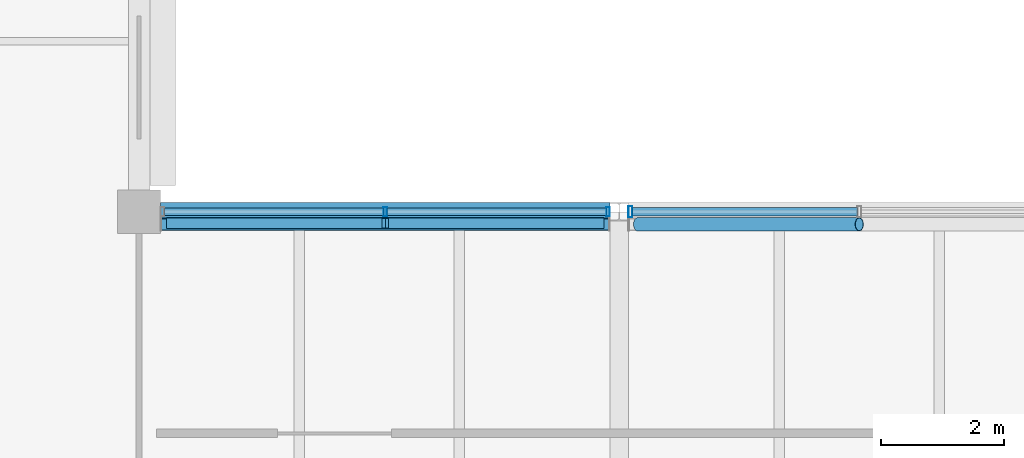
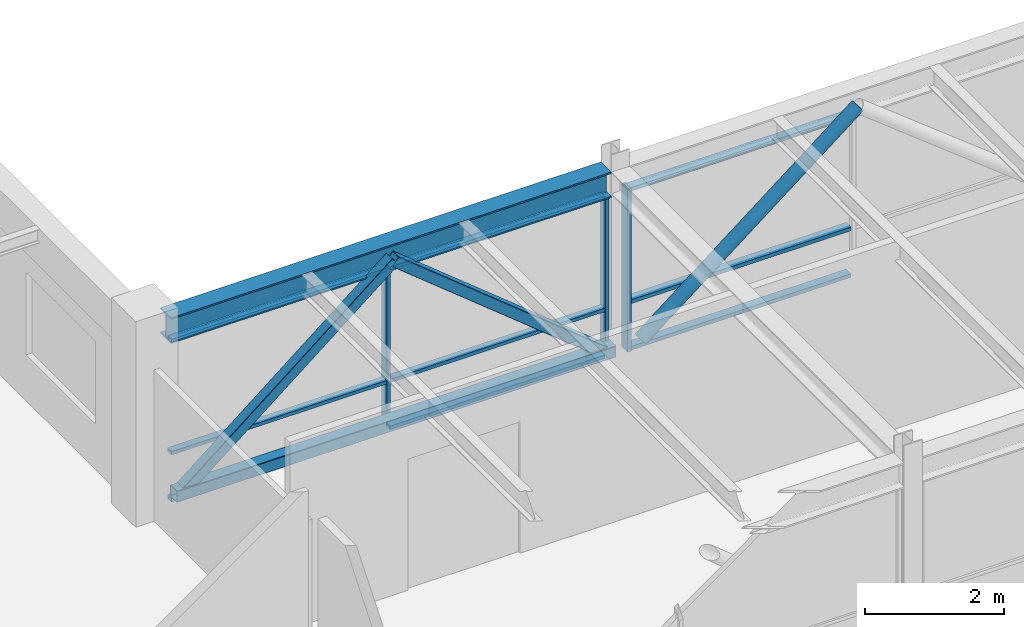
# One storey, part 14 of 49: 16 members, 1 beam, 2 elements without a shape of their own.
"""IFC4 building model written with IfcOpenShell, lengths in metres."""

import ifcopenshell
import ifcopenshell.guid

model = None  # the IFC model being written
_history = None  # IfcOwnerHistory: only IFC2X3 demands one
_inside = {}  # id of a spatial element -> (the spatial element, [elements in it])
_under = {}  # id of a project, library or spatial element -> (it, [spatial elements below it])
_declared = {}  # id of a project -> (the project, [libraries it declares])
_typed = {}  # id of a type object -> (the type object, [elements of that type])
_made_of = {}  # id of a material, layer set ... -> (it, [elements and type objects made of it])


def new_model(schema):
    """Start an empty IFC model of exactly this schema.

    Asked for "IFC4X3", IfcOpenShell would pick the latest addendum, in which some entities
    have other attributes; the version numbers below select the first issue.
    IFC2X3 requires an IfcOwnerHistory on every rooted entity: one is made here for all.
    """
    global model, _history
    if schema == "IFC4X3":
        model = ifcopenshell.file(schema_version=(4, 3, 0, 0))
    else:
        model = ifcopenshell.file(schema=schema)
    _inside.clear()
    _under.clear()
    _declared.clear()
    _typed.clear()
    _made_of.clear()
    _history = None
    if model.schema == "IFC2X3":
        org = make("IfcOrganization", Name="unknown")
        user = make(
            "IfcPersonAndOrganization",
            ThePerson=make("IfcPerson", FamilyName="unknown"),
            TheOrganization=org,
        )
        app = make(
            "IfcApplication",
            ApplicationDeveloper=org,
            Version="unknown",
            ApplicationFullName="unknown",
            ApplicationIdentifier="unknown",
        )
        _history = make(
            "IfcOwnerHistory",
            OwningUser=user,
            OwningApplication=app,
            ChangeAction="ADDED",
            CreationDate=0,
        )
    return model


def make(cls, **values):
    """One entity of the class cls with the attributes given. An attribute that is None is left unset."""
    return model.create_entity(
        cls, **{name: value for name, value in values.items() if value is not None}
    )


def rooted(cls, **values):
    """An entity with a GlobalId (a new one), such as an element, a storey or a relation."""
    return make(cls, GlobalId=ifcopenshell.guid.new(), OwnerHistory=_history, **values)


def si_unit(unit_type, name, prefix=None):
    """IfcSIUnit, for example si_unit("LENGTHUNIT", "METRE", prefix="MILLI")."""
    return make("IfcSIUnit", UnitType=unit_type, Prefix=prefix, Name=name)


def assignment(units):
    """IfcUnitAssignment: the units of a project."""
    return None if units is None else make("IfcUnitAssignment", Units=units)


def point(xyz):
    """IfcCartesianPoint."""
    return None if xyz is None else make("IfcCartesianPoint", Coordinates=xyz)


def direction(xyz):
    """IfcDirection."""
    return None if xyz is None else make("IfcDirection", DirectionRatios=xyz)


def frame(location, z_axis=None, x_axis=None):
    """IfcAxis2Placement3D, a coordinate frame: its origin and axes. An axis left out is left unset."""
    return make(
        "IfcAxis2Placement3D",
        Location=point(location),
        Axis=direction(z_axis),
        RefDirection=direction(x_axis),
    )


def frame_2d(location, x_axis=None):
    """IfcAxis2Placement2D, a coordinate frame in the plane: its origin and x axis."""
    return make(
        "IfcAxis2Placement2D", Location=point(location), RefDirection=direction(x_axis)
    )


def origin():
    """The frame at (0, 0, 0) with its axes left unset."""
    return frame((0.0, 0.0, 0.0))


def origin_2d():
    """The frame at (0, 0) in the plane with its x axis left unset."""
    return frame_2d((0.0, 0.0))


def place(relative_to, where):
    """IfcLocalPlacement: puts the frame where relative to a parent placement (None: the world)."""
    return make(
        "IfcLocalPlacement", PlacementRelTo=relative_to, RelativePlacement=where
    )


def context(
    kind, dimensions, precision=None, world=None, true_north=None, identifier=None
):
    """IfcGeometricRepresentationContext, for example the 3D "Model" context."""
    return make(
        "IfcGeometricRepresentationContext",
        ContextIdentifier=identifier,
        ContextType=kind,
        CoordinateSpaceDimension=dimensions,
        Precision=precision,
        WorldCoordinateSystem=world,
        TrueNorth=true_north,
    )


def subcontext(parent, identifier, kind, view, scale=None):
    """IfcGeometricRepresentationSubContext, for example "Body" below "Model"."""
    return make(
        "IfcGeometricRepresentationSubContext",
        ContextIdentifier=identifier,
        ContextType=kind,
        ParentContext=parent,
        TargetScale=scale,
        TargetView=view,
    )


def project(units=None, contexts=None):
    """IfcProject with its units and contexts."""
    return rooted(
        "IfcProject",
        Name="project",
        RepresentationContexts=contexts,
        UnitsInContext=assignment(units),
    )


def spatial(cls, under=None, at=None, **own):
    """A site, building, storey or space (cls), placed at a placement, below another one or the project."""
    s = rooted(cls, ObjectPlacement=at, **own)
    if under is not None:
        _under.setdefault(under.id(), (under, []))[1].append(s)
    return s


def profile(cls, at=None, kind="AREA", **sizes):
    """A parametric profile (cls). Its sizes go by their IFC names, for example OverallWidth=200.0."""
    return make(cls, ProfileType=kind, Position=at, **sizes)


def hollow_rectangle(**sizes):
    """IfcRectangleHollowProfileDef."""
    return profile("IfcRectangleHollowProfileDef", **sizes)


def hollow_circle(**sizes):
    """IfcCircleHollowProfileDef."""
    return profile("IfcCircleHollowProfileDef", **sizes)


def i_section(**sizes):
    """IfcIShapeProfileDef."""
    return profile("IfcIShapeProfileDef", **sizes)


def extrude(swept, where, along, depth):
    """IfcExtrudedAreaSolid: the profile swept, set in the frame where, extruded along a direction by depth."""
    return make(
        "IfcExtrudedAreaSolid",
        SweptArea=swept,
        Position=where,
        ExtrudedDirection=direction(along),
        Depth=depth,
    )


def shape(context_of_items, identifier, shape_type, items):
    """IfcShapeRepresentation: the items that make up one representation, for example the "Body"."""
    return make(
        "IfcShapeRepresentation",
        ContextOfItems=context_of_items,
        RepresentationIdentifier=identifier,
        RepresentationType=shape_type,
        Items=items,
    )


def material(Name=None, Category=None):
    """IfcMaterial."""
    return make("IfcMaterial", Name=Name, Category=Category)


def material_profile(
    of_material, cross_section, Name=None, Category=None, Priority=None
):
    """IfcMaterialProfile: a cross section and its material."""
    return make(
        "IfcMaterialProfile",
        Name=Name,
        Material=of_material,
        Profile=cross_section,
        Priority=Priority,
        Category=Category,
    )


def profile_set(profiles, Name=None, composite=None):
    """IfcMaterialProfileSet."""
    return make(
        "IfcMaterialProfileSet",
        Name=Name,
        MaterialProfiles=profiles,
        CompositeProfile=composite,
    )


def made_of(thing, what):
    """Note that an element or type object is made of a material, layer set ...; save() writes the relation."""
    if what is not None:
        _made_of.setdefault(what.id(), (what, []))[1].append(thing)
    return thing


def type_object(cls, material=None, **own):
    """A type object (cls), such as IfcWallType, which elements share."""
    return made_of(rooted(cls, **own), material)


def element(
    cls,
    number,
    at=None,
    inside=None,
    cuts=None,
    type_object=None,
    material=None,
    context=None,
    identifier="Body",
    shape_type=None,
    held_by="IfcProductDefinitionShape",
    body=None,
    shapes=None,
    **own,
):
    """One element of the class cls, such as IfcWall. Its Tag is "e" and its number.

    at: its placement. inside: the storey or other place that contains it. cuts: it is an
    opening in that element (IfcRelVoidsElement). A single representation is given by context,
    identifier, shape_type and body (its items); several are given by shapes. held_by: the class
    of the entity that holds the representations. save() writes the other relations.
    """
    e = rooted(cls, Tag="e%d" % number, ObjectPlacement=at, **own)
    if body is not None:
        shapes = [shape(context, identifier, shape_type, body)]
    if shapes is not None:
        e.Representation = make(held_by, Representations=shapes)
    if inside is not None:
        _inside.setdefault(inside.id(), (inside, []))[1].append(e)
    if cuts is not None:
        rooted(
            "IfcRelVoidsElement", RelatingBuildingElement=cuts, RelatedOpeningElement=e
        )
    if type_object is not None:
        _typed.setdefault(type_object.id(), (type_object, []))[1].append(e)
    return made_of(e, material)


def aggregate(whole, parts):
    """IfcRelAggregates: a whole, such as a stair, and the parts it consists of."""
    return rooted("IfcRelAggregates", RelatingObject=whole, RelatedObjects=parts)


def save(model, path):
    """Write the relations noted so far, then the file.

    IfcRelAggregates (storeys below a building ...), IfcRelContainedInSpatialStructure (elements
    in a storey), IfcRelDefinesByType, IfcRelAssociatesMaterial and IfcRelDeclares: one each for
    every whole, place, type object, material and project.
    """
    for whole, parts in _under.values():
        aggregate(whole, parts)
    for where, things in _inside.values():
        rooted(
            "IfcRelContainedInSpatialStructure",
            RelatedElements=things,
            RelatingStructure=where,
        )
    for kind, things in _typed.values():
        rooted("IfcRelDefinesByType", RelatedObjects=things, RelatingType=kind)
    for what, things in _made_of.values():
        rooted("IfcRelAssociatesMaterial", RelatedObjects=things, RelatingMaterial=what)
    for by, libraries in _declared.values():
        rooted("IfcRelDeclares", RelatingContext=by, RelatedDefinitions=libraries)
    model.write(path)


model = new_model("IFC4")

# Units and contexts
model_context = context("Model", 3, precision=1e-05, world=origin(), true_north=direction((0.0, 1.0)))
body_context = subcontext(model_context, "Body", "Model", "MODEL_VIEW")
ifc_project = project(units=[si_unit("LENGTHUNIT", "METRE"), si_unit("AREAUNIT", "SQUARE_METRE"), si_unit("VOLUMEUNIT", "CUBIC_METRE"), si_unit("PLANEANGLEUNIT", "RADIAN"), si_unit("MASSUNIT", "GRAM", prefix="KILO"), si_unit("THERMODYNAMICTEMPERATUREUNIT", "KELVIN"), si_unit("POWERUNIT", "WATT")], contexts=[model_context])

# Site, building, storey
site_placement = place(None, origin())
site = spatial("IfcSite", under=ifc_project, at=site_placement, CompositionType="ELEMENT")
building_placement = place(site_placement, origin())
building = spatial("IfcBuilding", under=site, at=building_placement, Name="Srebrne Nadtorze General Hospital", CompositionType="ELEMENT")
storey_placement = place(building_placement, frame((0.0, 0.0, 26.10009765625)))
storey = spatial("IfcBuildingStorey", under=building, at=storey_placement, Name="L06", CompositionType="ELEMENT", Elevation=26.10009765625)

# Beam
ifc_material_1 = material(Name="Steel S355J2", Category="steel")
ifc_material_profile_1 = material_profile(ifc_material_1, i_section(OverallWidth=0.300048828125, OverallDepth=0.449951171875, WebThickness=0.013916015625, FlangeThickness=0.02587890625, FilletRadius=0.027099609375, at=origin_2d()), Name="HEB-450")
ifc_profile_set_1 = profile_set([ifc_material_profile_1], Name="Steel S355J2")
beam_type = type_object("IfcBeamType", Name="Courtyard bridge girder HEB 450", PredefinedType="BEAM", material=ifc_profile_set_1)
beam_placement = place(storey_placement, frame((54.949951171875, 58.800048828125, 3.074951171875), z_axis=(1.0, 0.0, 0.0), x_axis=(0.0, 1.0, 0.0)))
element("IfcBeam", 1, at=beam_placement, inside=storey, type_object=beam_type, Name="Beam BM-L06-X-1166", PredefinedType="BEAM", context=body_context, shape_type="SweptSolid", body=[
    extrude(i_section(OverallWidth=0.300048828125, OverallDepth=0.449951171875, WebThickness=0.013916015625, FlangeThickness=0.02587890625, FilletRadius=0.027099609375, at=origin_2d()), origin(), (0.0, 0.0, 1.0), 7.300048828125),
])

# Curtain wall, members
ifc_material_2 = material(Name="Anodised Aluminium", Category="aluminium")
curtain_wall_type_1 = type_object("IfcCurtainWallType", Name="Bridge curtain wall 7300x2850", PredefinedType="NOTDEFINED", material=ifc_material_2)
curtain_wall_1_placement = place(storey_placement, origin())
curtain_wall_1 = element("IfcCurtainWall", 2, at=curtain_wall_1_placement, inside=storey, type_object=curtain_wall_type_1, Name="Curtain wall CW-144", PredefinedType="NOTDEFINED")
ifc_material_3 = material(Name="Anodised Aluminium", Category="aluminium")
ifc_material_profile_2 = material_profile(ifc_material_3, hollow_rectangle(XDim=0.06005859375, YDim=0.14990234375, WallThickness=0.00390625, at=origin_2d()), Name="AL-MUL-60x150")
ifc_profile_set_2 = profile_set([ifc_material_profile_2], Name="Anodised Aluminium")
member_type_1 = type_object("IfcMemberType", Name="Curtain mullion 60x150", PredefinedType="MULLION", material=ifc_profile_set_2)
member_1_placement = place(storey_placement, frame((58.60009765625, 58.800048828125, 0.0), z_axis=(0.0, 0.0, 1.0), x_axis=(1.0, 0.0, 0.0)))
member_1 = element("IfcMember", 3, at=member_1_placement, type_object=member_type_1, Name="CW-144 mullion 2", PredefinedType="MULLION", context=body_context, shape_type="SweptSolid", body=[
    extrude(hollow_rectangle(XDim=0.06005859375, YDim=0.14990234375, WallThickness=0.00390625, at=origin_2d()), origin(), (0.0, 0.0, 1.0), 2.849853515625),
])
member_2_placement = place(storey_placement, frame((62.219970703125, 58.800048828125, 0.0), z_axis=(0.0, 0.0, 1.0), x_axis=(1.0, 0.0, 0.0)))
member_2 = element("IfcMember", 4, at=member_2_placement, type_object=member_type_1, Name="CW-144 mullion 3", PredefinedType="MULLION", context=body_context, shape_type="SweptSolid", body=[
    extrude(hollow_rectangle(XDim=0.06005859375, YDim=0.14990234375, WallThickness=0.00390625, at=origin_2d()), origin(), (0.0, 0.0, 1.0), 2.849853515625),
])

# Curtain wall, member
ifc_material_4 = material(Name="Anodised Aluminium", Category="aluminium")
curtain_wall_type_2 = type_object("IfcCurtainWallType", Name="Bridge curtain wall 7500x2850", PredefinedType="NOTDEFINED", material=ifc_material_4)
curtain_wall_2_placement = place(storey_placement, origin())
curtain_wall_2 = element("IfcCurtainWall", 5, at=curtain_wall_2_placement, inside=storey, type_object=curtain_wall_type_2, Name="Curtain wall CW-145", PredefinedType="NOTDEFINED")
ifc_material_5 = material(Name="Anodised Aluminium", Category="aluminium")
ifc_material_profile_3 = material_profile(ifc_material_5, hollow_rectangle(XDim=0.06494140625, YDim=0.179931640625, WallThickness=0.00390625, at=origin_2d()), Name="AL-MUL-65x180")
ifc_profile_set_3 = profile_set([ifc_material_profile_3], Name="Anodised Aluminium")
member_type_2 = type_object("IfcMemberType", Name="Curtain mullion 65x180", PredefinedType="MULLION", material=ifc_profile_set_3)
member_3_placement = place(storey_placement, frame((62.58251953125, 58.800048828125, 0.0), z_axis=(0.0, 0.0, 1.0), x_axis=(1.0, 0.0, 0.0)))
member_3 = element("IfcMember", 6, at=member_3_placement, type_object=member_type_2, Name="CW-145 mullion 1", PredefinedType="MULLION", context=body_context, shape_type="SweptSolid", body=[
    extrude(hollow_rectangle(XDim=0.06494140625, YDim=0.179931640625, WallThickness=0.00390625, at=origin_2d()), origin(), (0.0, 0.0, 1.0), 2.849853515625),
])

# Member
ifc_material_6 = material(Name="Anodised Aluminium", Category="aluminium")
ifc_material_profile_4 = material_profile(ifc_material_6, hollow_rectangle(XDim=0.06005859375, YDim=0.1201171875, WallThickness=0.00390625, at=origin_2d()), Name="AL-TRN-60x120")
ifc_profile_set_4 = profile_set([ifc_material_profile_4], Name="Anodised Aluminium")
member_type_3 = type_object("IfcMemberType", Name="Curtain transom 60x120", PredefinedType="USERDEFINED", material=ifc_profile_set_4)
member_4_placement = place(storey_placement, frame((55.010009765625, 58.800048828125, 0.02978515625), z_axis=(1.0, 0.0, 0.0), x_axis=(0.0, 0.0, 1.0)))
member_4 = element("IfcMember", 7, at=member_4_placement, type_object=member_type_3, Name="CW-144 transom 1.1", ObjectType="TRANSOM", PredefinedType="USERDEFINED", context=body_context, shape_type="SweptSolid", body=[
    extrude(hollow_rectangle(XDim=0.06005859375, YDim=0.1201171875, WallThickness=0.00390625, at=origin_2d()), origin(), (0.0, 0.0, 1.0), 3.56005859375),
])

member_5_placement = place(storey_placement, frame((55.010009765625, 58.800048828125, 0.849853515625), z_axis=(1.0, 0.0, 0.0), x_axis=(0.0, 0.0, 1.0)))
member_5 = element("IfcMember", 8, at=member_5_placement, type_object=member_type_3, Name="CW-144 transom 1.2", ObjectType="TRANSOM", PredefinedType="USERDEFINED", context=body_context, shape_type="SweptSolid", body=[
    extrude(hollow_rectangle(XDim=0.06005859375, YDim=0.1201171875, WallThickness=0.00390625, at=origin_2d()), origin(), (0.0, 0.0, 1.0), 3.56005859375),
])

member_6_placement = place(storey_placement, frame((55.010009765625, 58.800048828125, 2.81982421875), z_axis=(1.0, 0.0, 0.0), x_axis=(0.0, 0.0, 1.0)))
member_6 = element("IfcMember", 9, at=member_6_placement, type_object=member_type_3, Name="CW-144 transom 1.3", ObjectType="TRANSOM", PredefinedType="USERDEFINED", context=body_context, shape_type="SweptSolid", body=[
    extrude(hollow_rectangle(XDim=0.06005859375, YDim=0.1201171875, WallThickness=0.00390625, at=origin_2d()), origin(), (0.0, 0.0, 1.0), 3.56005859375),
])

member_7_placement = place(storey_placement, frame((58.6298828125, 58.800048828125, 0.02978515625), z_axis=(1.0, 0.0, 0.0), x_axis=(0.0, 0.0, 1.0)))
member_7 = element("IfcMember", 10, at=member_7_placement, type_object=member_type_3, Name="CW-144 transom 2.1", ObjectType="TRANSOM", PredefinedType="USERDEFINED", context=body_context, shape_type="SweptSolid", body=[
    extrude(hollow_rectangle(XDim=0.06005859375, YDim=0.1201171875, WallThickness=0.00390625, at=origin_2d()), origin(), (0.0, 0.0, 1.0), 3.56005859375),
])

member_8_placement = place(storey_placement, frame((58.6298828125, 58.800048828125, 0.849853515625), z_axis=(1.0, 0.0, 0.0), x_axis=(0.0, 0.0, 1.0)))
member_8 = element("IfcMember", 11, at=member_8_placement, type_object=member_type_3, Name="CW-144 transom 2.2", ObjectType="TRANSOM", PredefinedType="USERDEFINED", context=body_context, shape_type="SweptSolid", body=[
    extrude(hollow_rectangle(XDim=0.06005859375, YDim=0.1201171875, WallThickness=0.00390625, at=origin_2d()), origin(), (0.0, 0.0, 1.0), 3.56005859375),
])

member_9_placement = place(storey_placement, frame((58.6298828125, 58.800048828125, 2.81982421875), z_axis=(1.0, 0.0, 0.0), x_axis=(0.0, 0.0, 1.0)))
member_9 = element("IfcMember", 12, at=member_9_placement, type_object=member_type_3, Name="CW-144 transom 2.3", ObjectType="TRANSOM", PredefinedType="USERDEFINED", context=body_context, shape_type="SweptSolid", body=[
    extrude(hollow_rectangle(XDim=0.06005859375, YDim=0.1201171875, WallThickness=0.00390625, at=origin_2d()), origin(), (0.0, 0.0, 1.0), 3.56005859375),
])

aggregate(curtain_wall_1, [member_1, member_2, member_4, member_5, member_6, member_7, member_8, member_9])

ifc_material_7 = material(Name="Anodised Aluminium", Category="aluminium")
ifc_material_profile_5 = material_profile(ifc_material_7, hollow_rectangle(XDim=0.06494140625, YDim=0.139892578125, WallThickness=0.00390625, at=origin_2d()), Name="AL-TRN-65x140")
ifc_profile_set_5 = profile_set([ifc_material_profile_5], Name="Anodised Aluminium")
member_type_4 = type_object("IfcMemberType", Name="Curtain transom 65x140", PredefinedType="USERDEFINED", material=ifc_profile_set_5)
member_10_placement = place(storey_placement, frame((62.614990234375, 58.800048828125, 0.032470703125), z_axis=(1.0, 0.0, 0.0), x_axis=(0.0, 0.0, 1.0)))
member_10 = element("IfcMember", 13, at=member_10_placement, type_object=member_type_4, Name="CW-145 transom 1.1", ObjectType="TRANSOM", PredefinedType="USERDEFINED", context=body_context, shape_type="SweptSolid", body=[
    extrude(hollow_rectangle(XDim=0.06494140625, YDim=0.139892578125, WallThickness=0.00390625, at=origin_2d()), origin(), (0.0, 0.0, 1.0), 3.652587890625),
])

member_11_placement = place(storey_placement, frame((62.614990234375, 58.800048828125, 0.849853515625), z_axis=(1.0, 0.0, 0.0), x_axis=(0.0, 0.0, 1.0)))
member_11 = element("IfcMember", 14, at=member_11_placement, type_object=member_type_4, Name="CW-145 transom 1.2", ObjectType="TRANSOM", PredefinedType="USERDEFINED", context=body_context, shape_type="SweptSolid", body=[
    extrude(hollow_rectangle(XDim=0.06494140625, YDim=0.139892578125, WallThickness=0.00390625, at=origin_2d()), origin(), (0.0, 0.0, 1.0), 3.652587890625),
])

member_12_placement = place(storey_placement, frame((62.614990234375, 58.800048828125, 2.8173828125), z_axis=(1.0, 0.0, 0.0), x_axis=(0.0, 0.0, 1.0)))
member_12 = element("IfcMember", 15, at=member_12_placement, type_object=member_type_4, Name="CW-145 transom 1.3", ObjectType="TRANSOM", PredefinedType="USERDEFINED", context=body_context, shape_type="SweptSolid", body=[
    extrude(hollow_rectangle(XDim=0.06494140625, YDim=0.139892578125, WallThickness=0.00390625, at=origin_2d()), origin(), (0.0, 0.0, 1.0), 3.652587890625),
])

aggregate(curtain_wall_2, [member_3, member_10, member_11, member_12])

# Members
ifc_material_8 = material(Name="Steel S355J2", Category="steel")
ifc_material_profile_6 = material_profile(ifc_material_8, hollow_circle(Radius=0.109619140625, WallThickness=0.008056640625, at=origin_2d()), Name="CHS-219.1x8")
ifc_profile_set_6 = profile_set([ifc_material_profile_6], Name="Steel S355J2")
member_type_5 = type_object("IfcMemberType", Name="Diagonal brace CHS 219.1x8", PredefinedType="BRACE", material=ifc_profile_set_6)
member_13_placement = place(storey_placement, frame((62.699951171875, 58.595458984375, 0.25), z_axis=(0.786192517778, 0.0, 0.61798165425), x_axis=(0.0, 1.0, 0.0)))
element("IfcMember", 16, at=member_13_placement, inside=storey, type_object=member_type_5, Name="Clinical courtyard bridge brace 39", PredefinedType="BRACE", context=body_context, shape_type="SweptSolid", body=[
    extrude(hollow_circle(Radius=0.109619140625, WallThickness=0.008056640625, at=origin_2d()), origin(), (0.0, 0.0, 1.0), 4.5791015625),
])
ifc_material_9 = material(Name="Steel S355J2", Category="steel")
ifc_material_profile_7 = material_profile(ifc_material_9, hollow_rectangle(XDim=0.179931640625, YDim=0.179931640625, WallThickness=0.008056640625, InnerFilletRadius=0.008056640625, OuterFilletRadius=0.011962890625, at=origin_2d()), Name="SHS-180x180x8")
ifc_profile_set_7 = profile_set([ifc_material_profile_7], Name="Steel S355J2")
member_type_6 = type_object("IfcMemberType", Name="Diagonal brace SHS 180x180x8", PredefinedType="BRACE", material=ifc_profile_set_7)
for number, where, z_axis, x_axis, name in (
    (17, (55.10009765625, 58.614990234375, 0.25), (0.777624948613, 0.0, 0.628728430481), (0.0, 1.0, 0.0), "Clinical courtyard bridge brace 37"),
    (18, (62.10009765625, 58.614990234375, 0.25), (-0.777624948613, 0.0, 0.628728430481), (0.0, -1.0, 0.0), "Clinical courtyard bridge brace 38"),
):
    element("IfcMember", number, at=place(storey_placement, frame(where, z_axis=z_axis, x_axis=x_axis)), inside=storey, type_object=member_type_6, Name=name, PredefinedType="BRACE", context=body_context, shape_type="SweptSolid", body=[
        extrude(hollow_rectangle(XDim=0.179931640625, YDim=0.179931640625, WallThickness=0.008056640625, InnerFilletRadius=0.008056640625, OuterFilletRadius=0.011962890625, at=origin_2d()), origin(), (0.0, 0.0, 1.0), 4.5009765625),
    ])
ifc_material_10 = material(Name="Steel S355J2", Category="steel")
ifc_material_profile_8 = material_profile(ifc_material_10, hollow_rectangle(XDim=0.199951171875, YDim=0.199951171875, WallThickness=0.010009765625, InnerFilletRadius=0.010009765625, OuterFilletRadius=0.014892578125, at=origin_2d()), Name="SHS-200x200x10")
ifc_profile_set_8 = profile_set([ifc_material_profile_8], Name="Steel S355J2")
member_type_7 = type_object("IfcMemberType", Name="Truss chord SHS 200x200x10", PredefinedType="CHORD", material=ifc_profile_set_8)
member_14_placement = place(storey_placement, frame((54.9619140625, 58.594970703125, 0.25), z_axis=(1.0, 0.0, 0.0), x_axis=(0.0, 1.0, 0.0)))
element("IfcMember", 19, at=member_14_placement, inside=storey, type_object=member_type_7, Name="Clinical courtyard bridge truss chord 19", PredefinedType="CHORD", context=body_context, shape_type="SweptSolid", body=[
    extrude(hollow_rectangle(XDim=0.199951171875, YDim=0.199951171875, WallThickness=0.010009765625, InnerFilletRadius=0.010009765625, OuterFilletRadius=0.014892578125, at=origin_2d()), origin(), (0.0, 0.0, 1.0), 7.276123046875),
])

save(model, "model.ifc")
